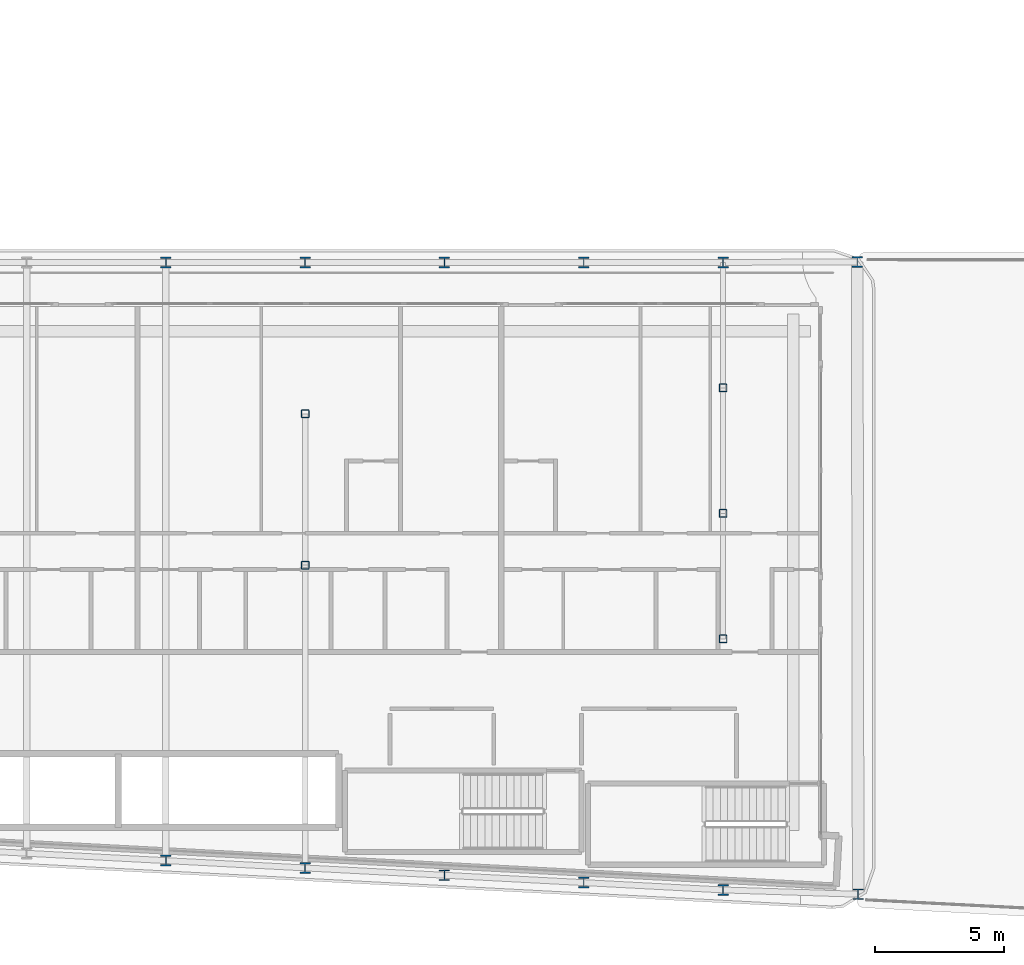
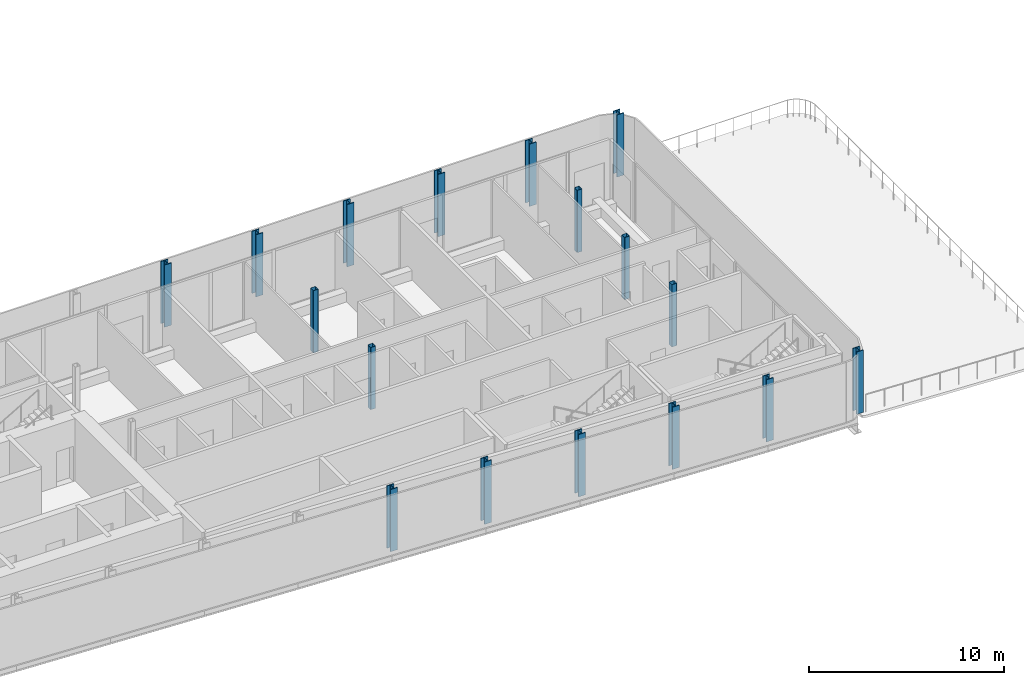
# One storey, part 2 of 27: 17 columns.
"""IFC4 building model written with IfcOpenShell, lengths in metres."""

from ifc_helpers import new_model, si_unit, direction, frame, origin, origin_2d, place, context, subcontext, project, spatial, hollow_rectangle, i_section, extrude, material, material_profile, profile_set, type_object, element, save


model = new_model("IFC4")

# Units and contexts
model_context = context("Model", 3, precision=1e-05, world=origin(), true_north=direction((0.0, 1.0)))
body_context = subcontext(model_context, "Body", "Model", "MODEL_VIEW")
ifc_project = project(units=[si_unit("LENGTHUNIT", "METRE"), si_unit("AREAUNIT", "SQUARE_METRE"), si_unit("VOLUMEUNIT", "CUBIC_METRE"), si_unit("PLANEANGLEUNIT", "RADIAN"), si_unit("MASSUNIT", "GRAM", prefix="KILO")], contexts=[model_context])

# Site, building, storey
site_placement = place(None, origin())
site = spatial("IfcSite", under=ifc_project, at=site_placement, CompositionType="ELEMENT")
building_placement = place(site_placement, origin())
building = spatial("IfcBuilding", under=site, at=building_placement, Name="Kheshtan School and Residences Tower", CompositionType="ELEMENT")
storey_placement = place(building_placement, frame((0.0, 0.0, 152.60009765625)))
storey = spatial("IfcBuildingStorey", under=building, at=storey_placement, Name="L35", CompositionType="ELEMENT", Elevation=152.60009765625)

# Columns
ifc_material_1 = material(Name="Steel ASTM A992 Grade 50", Category="steel")
ifc_material_profile_1 = material_profile(ifc_material_1, i_section(OverallWidth=0.408935546875, OverallDepth=0.425048828125, WebThickness=0.03271484375, FlangeThickness=0.052490234375, FilletRadius=0.0126953125, at=origin_2d()), Name="W360x421")
ifc_profile_set_1 = profile_set([ifc_material_profile_1], Name="Steel ASTM A992 Grade 50")
column_type_1 = type_object("IfcColumnType", Name="Column C3 W360x421 ASTM A992 Grade 50", PredefinedType="COLUMN", material=ifc_profile_set_1)
for number, where, z_axis, x_axis, name in (
    (1, (90.637939453125, 21.10693359375, 0.0), (0.0, 0.0, 1.0), (1.0, 0.0, 0.0), "Column C007"),
    (2, (85.39990234375, 21.27392578125, 0.0), (0.0, 0.0, 1.0), (1.0, 0.0, 0.0), "Column C008"),
    (3, (80.0, 21.55810546875, 0.0), (0.0, 0.0, 1.0), (1.0, 0.0, 0.0), "Column C012"),
    (4, (74.60009765625, 21.843017578125, 0.0), (0.0, 0.0, 1.0), (1.0, 0.0, 0.0), "Column C013"),
    (5, (69.199951171875, 22.126953125, 0.0), (0.0, 0.0, 1.0), (1.0, 0.0, 0.0), "Column C014"),
    (6, (63.800048828125, 22.410888671875, 0.0), (0.0, 0.0, 1.0), (1.0, 0.0, 0.0), "Column C016"),
    (7, (63.800048828125, 45.60009765625, 0.0), (0.0, 0.0, 1.0), (1.0, 0.0, 0.0), "Column C063"),
    (8, (69.199951171875, 45.60009765625, 0.0), (0.0, 0.0, 1.0), (1.0, 0.0, 0.0), "Column C064"),
    (9, (74.60009765625, 45.60009765625, 0.0), (0.0, 0.0, 1.0), (1.0, 0.0, 0.0), "Column C065"),
    (10, (80.0, 45.60009765625, 0.0), (0.0, 0.0, 1.0), (1.0, 0.0, 0.0), "Column C066"),
    (11, (85.39990234375, 45.60009765625, 0.0), (0.0, 0.0, 1.0), (1.0, 0.0, 0.0), "Column C067"),
    (12, (90.60107421875, 45.62109375, 0.0), (0.0, 0.0, 1.0), (1.0, 0.0, 0.0), "Column C075"),
):
    element("IfcColumn", number, at=place(storey_placement, frame(where, z_axis=z_axis, x_axis=x_axis)), inside=storey, type_object=column_type_1, Name=name, PredefinedType="COLUMN", context=body_context, shape_type="SweptSolid", body=[
        extrude(i_section(OverallWidth=0.408935546875, OverallDepth=0.425048828125, WebThickness=0.03271484375, FlangeThickness=0.052490234375, FilletRadius=0.0126953125, at=origin_2d()), origin(), (0.0, 0.0, 1.0), 3.89990234375),
    ])
ifc_material_2 = material(Name="Steel ASTM A500 Grade C", Category="steel")
ifc_material_profile_2 = material_profile(ifc_material_2, hollow_rectangle(XDim=0.304931640625, YDim=0.304931640625, WallThickness=0.015869140625, InnerFilletRadius=0.015869140625, OuterFilletRadius=0.03173828125, at=origin_2d()), Name="HSS 305x305x15.9")
ifc_profile_set_2 = profile_set([ifc_material_profile_2], Name="Steel ASTM A500 Grade C")
column_type_2 = type_object("IfcColumnType", Name="Column IC2 HSS 305x305x15.9 ASTM A500 Grade C", PredefinedType="COLUMN", material=ifc_profile_set_2)
for number, where, z_axis, x_axis, name in (
    (13, (85.39990234375, 31.0048828125, 0.0), (0.0, 0.0, 1.0), (1.0, 0.0, 0.0), "Column C049"),
    (14, (69.199951171875, 33.863037109375, 0.0), (0.0, 0.0, 1.0), (1.0, 0.0, 0.0), "Column C050"),
    (15, (85.39990234375, 35.8701171875, 0.0), (0.0, 0.0, 1.0), (1.0, 0.0, 0.0), "Column C053"),
    (16, (69.199951171875, 39.73193359375, 0.0), (0.0, 0.0, 1.0), (1.0, 0.0, 0.0), "Column C054"),
    (17, (85.39990234375, 40.735107421875, 0.0), (0.0, 0.0, 1.0), (1.0, 0.0, 0.0), "Column C057"),
):
    element("IfcColumn", number, at=place(storey_placement, frame(where, z_axis=z_axis, x_axis=x_axis)), inside=storey, type_object=column_type_2, Name=name, PredefinedType="COLUMN", context=body_context, shape_type="SweptSolid", body=[
        extrude(hollow_rectangle(XDim=0.304931640625, YDim=0.304931640625, WallThickness=0.015869140625, InnerFilletRadius=0.015869140625, OuterFilletRadius=0.03173828125, at=origin_2d()), origin(), (0.0, 0.0, 1.0), 3.89990234375),
    ])

save(model, "model.ifc")
